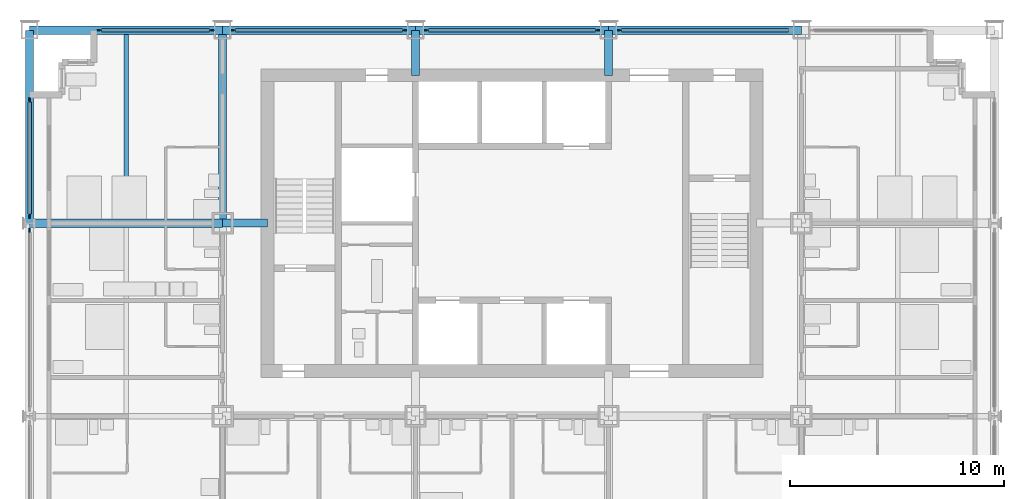
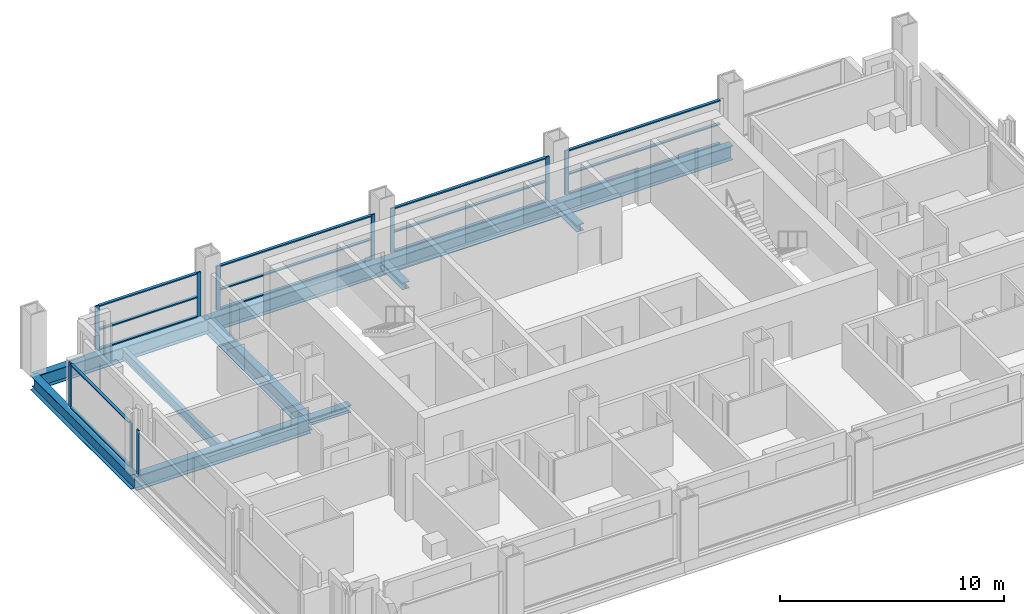
# One storey, part 4 of 13: 27 members, 8 beams, 6 elements without a shape of their own.
"""IFC4 building model written with IfcOpenShell, lengths in metres."""

import ifcopenshell
import ifcopenshell.guid

model = None  # the IFC model being written
_history = None  # IfcOwnerHistory: only IFC2X3 demands one
_inside = {}  # id of a spatial element -> (the spatial element, [elements in it])
_under = {}  # id of a project, library or spatial element -> (it, [spatial elements below it])
_declared = {}  # id of a project -> (the project, [libraries it declares])
_typed = {}  # id of a type object -> (the type object, [elements of that type])
_made_of = {}  # id of a material, layer set ... -> (it, [elements and type objects made of it])


def new_model(schema):
    """Start an empty IFC model of exactly this schema.

    Asked for "IFC4X3", IfcOpenShell would pick the latest addendum, in which some entities
    have other attributes; the version numbers below select the first issue.
    IFC2X3 requires an IfcOwnerHistory on every rooted entity: one is made here for all.
    """
    global model, _history
    if schema == "IFC4X3":
        model = ifcopenshell.file(schema_version=(4, 3, 0, 0))
    else:
        model = ifcopenshell.file(schema=schema)
    _inside.clear()
    _under.clear()
    _declared.clear()
    _typed.clear()
    _made_of.clear()
    _history = None
    if model.schema == "IFC2X3":
        org = make("IfcOrganization", Name="unknown")
        user = make(
            "IfcPersonAndOrganization",
            ThePerson=make("IfcPerson", FamilyName="unknown"),
            TheOrganization=org,
        )
        app = make(
            "IfcApplication",
            ApplicationDeveloper=org,
            Version="unknown",
            ApplicationFullName="unknown",
            ApplicationIdentifier="unknown",
        )
        _history = make(
            "IfcOwnerHistory",
            OwningUser=user,
            OwningApplication=app,
            ChangeAction="ADDED",
            CreationDate=0,
        )
    return model


def make(cls, **values):
    """One entity of the class cls with the attributes given. An attribute that is None is left unset."""
    return model.create_entity(
        cls, **{name: value for name, value in values.items() if value is not None}
    )


def rooted(cls, **values):
    """An entity with a GlobalId (a new one), such as an element, a storey or a relation."""
    return make(cls, GlobalId=ifcopenshell.guid.new(), OwnerHistory=_history, **values)


def si_unit(unit_type, name, prefix=None):
    """IfcSIUnit, for example si_unit("LENGTHUNIT", "METRE", prefix="MILLI")."""
    return make("IfcSIUnit", UnitType=unit_type, Prefix=prefix, Name=name)


def assignment(units):
    """IfcUnitAssignment: the units of a project."""
    return None if units is None else make("IfcUnitAssignment", Units=units)


def point(xyz):
    """IfcCartesianPoint."""
    return None if xyz is None else make("IfcCartesianPoint", Coordinates=xyz)


def direction(xyz):
    """IfcDirection."""
    return None if xyz is None else make("IfcDirection", DirectionRatios=xyz)


def frame(location, z_axis=None, x_axis=None):
    """IfcAxis2Placement3D, a coordinate frame: its origin and axes. An axis left out is left unset."""
    return make(
        "IfcAxis2Placement3D",
        Location=point(location),
        Axis=direction(z_axis),
        RefDirection=direction(x_axis),
    )


def frame_2d(location, x_axis=None):
    """IfcAxis2Placement2D, a coordinate frame in the plane: its origin and x axis."""
    return make(
        "IfcAxis2Placement2D", Location=point(location), RefDirection=direction(x_axis)
    )


def origin():
    """The frame at (0, 0, 0) with its axes left unset."""
    return frame((0.0, 0.0, 0.0))


def origin_2d():
    """The frame at (0, 0) in the plane with its x axis left unset."""
    return frame_2d((0.0, 0.0))


def place(relative_to, where):
    """IfcLocalPlacement: puts the frame where relative to a parent placement (None: the world)."""
    return make(
        "IfcLocalPlacement", PlacementRelTo=relative_to, RelativePlacement=where
    )


def context(
    kind, dimensions, precision=None, world=None, true_north=None, identifier=None
):
    """IfcGeometricRepresentationContext, for example the 3D "Model" context."""
    return make(
        "IfcGeometricRepresentationContext",
        ContextIdentifier=identifier,
        ContextType=kind,
        CoordinateSpaceDimension=dimensions,
        Precision=precision,
        WorldCoordinateSystem=world,
        TrueNorth=true_north,
    )


def subcontext(parent, identifier, kind, view, scale=None):
    """IfcGeometricRepresentationSubContext, for example "Body" below "Model"."""
    return make(
        "IfcGeometricRepresentationSubContext",
        ContextIdentifier=identifier,
        ContextType=kind,
        ParentContext=parent,
        TargetScale=scale,
        TargetView=view,
    )


def project(units=None, contexts=None):
    """IfcProject with its units and contexts."""
    return rooted(
        "IfcProject",
        Name="project",
        RepresentationContexts=contexts,
        UnitsInContext=assignment(units),
    )


def spatial(cls, under=None, at=None, **own):
    """A site, building, storey or space (cls), placed at a placement, below another one or the project."""
    s = rooted(cls, ObjectPlacement=at, **own)
    if under is not None:
        _under.setdefault(under.id(), (under, []))[1].append(s)
    return s


def profile(cls, at=None, kind="AREA", **sizes):
    """A parametric profile (cls). Its sizes go by their IFC names, for example OverallWidth=200.0."""
    return make(cls, ProfileType=kind, Position=at, **sizes)


def rectangle(**sizes):
    """IfcRectangleProfileDef."""
    return profile("IfcRectangleProfileDef", **sizes)


def i_section(**sizes):
    """IfcIShapeProfileDef."""
    return profile("IfcIShapeProfileDef", **sizes)


def extrude(swept, where, along, depth):
    """IfcExtrudedAreaSolid: the profile swept, set in the frame where, extruded along a direction by depth."""
    return make(
        "IfcExtrudedAreaSolid",
        SweptArea=swept,
        Position=where,
        ExtrudedDirection=direction(along),
        Depth=depth,
    )


def shape(context_of_items, identifier, shape_type, items):
    """IfcShapeRepresentation: the items that make up one representation, for example the "Body"."""
    return make(
        "IfcShapeRepresentation",
        ContextOfItems=context_of_items,
        RepresentationIdentifier=identifier,
        RepresentationType=shape_type,
        Items=items,
    )


def material(Name=None, Category=None):
    """IfcMaterial."""
    return make("IfcMaterial", Name=Name, Category=Category)


def material_profile(
    of_material, cross_section, Name=None, Category=None, Priority=None
):
    """IfcMaterialProfile: a cross section and its material."""
    return make(
        "IfcMaterialProfile",
        Name=Name,
        Material=of_material,
        Profile=cross_section,
        Priority=Priority,
        Category=Category,
    )


def profile_set(profiles, Name=None, composite=None):
    """IfcMaterialProfileSet."""
    return make(
        "IfcMaterialProfileSet",
        Name=Name,
        MaterialProfiles=profiles,
        CompositeProfile=composite,
    )


def made_of(thing, what):
    """Note that an element or type object is made of a material, layer set ...; save() writes the relation."""
    if what is not None:
        _made_of.setdefault(what.id(), (what, []))[1].append(thing)
    return thing


def type_object(cls, material=None, **own):
    """A type object (cls), such as IfcWallType, which elements share."""
    return made_of(rooted(cls, **own), material)


def element(
    cls,
    number,
    at=None,
    inside=None,
    cuts=None,
    type_object=None,
    material=None,
    context=None,
    identifier="Body",
    shape_type=None,
    held_by="IfcProductDefinitionShape",
    body=None,
    shapes=None,
    **own,
):
    """One element of the class cls, such as IfcWall. Its Tag is "e" and its number.

    at: its placement. inside: the storey or other place that contains it. cuts: it is an
    opening in that element (IfcRelVoidsElement). A single representation is given by context,
    identifier, shape_type and body (its items); several are given by shapes. held_by: the class
    of the entity that holds the representations. save() writes the other relations.
    """
    e = rooted(cls, Tag="e%d" % number, ObjectPlacement=at, **own)
    if body is not None:
        shapes = [shape(context, identifier, shape_type, body)]
    if shapes is not None:
        e.Representation = make(held_by, Representations=shapes)
    if inside is not None:
        _inside.setdefault(inside.id(), (inside, []))[1].append(e)
    if cuts is not None:
        rooted(
            "IfcRelVoidsElement", RelatingBuildingElement=cuts, RelatedOpeningElement=e
        )
    if type_object is not None:
        _typed.setdefault(type_object.id(), (type_object, []))[1].append(e)
    return made_of(e, material)


def aggregate(whole, parts):
    """IfcRelAggregates: a whole, such as a stair, and the parts it consists of."""
    return rooted("IfcRelAggregates", RelatingObject=whole, RelatedObjects=parts)


def save(model, path):
    """Write the relations noted so far, then the file.

    IfcRelAggregates (storeys below a building ...), IfcRelContainedInSpatialStructure (elements
    in a storey), IfcRelDefinesByType, IfcRelAssociatesMaterial and IfcRelDeclares: one each for
    every whole, place, type object, material and project.
    """
    for whole, parts in _under.values():
        aggregate(whole, parts)
    for where, things in _inside.values():
        rooted(
            "IfcRelContainedInSpatialStructure",
            RelatedElements=things,
            RelatingStructure=where,
        )
    for kind, things in _typed.values():
        rooted("IfcRelDefinesByType", RelatedObjects=things, RelatingType=kind)
    for what, things in _made_of.values():
        rooted("IfcRelAssociatesMaterial", RelatedObjects=things, RelatingMaterial=what)
    for by, libraries in _declared.values():
        rooted("IfcRelDeclares", RelatingContext=by, RelatedDefinitions=libraries)
    model.write(path)


model = new_model("IFC4")

# Units and contexts
model_context = context("Model", 3, precision=1e-05, world=origin(), true_north=direction((0.0, 1.0)))
body_context = subcontext(model_context, "Body", "Model", "MODEL_VIEW")
ifc_project = project(units=[si_unit("LENGTHUNIT", "METRE"), si_unit("AREAUNIT", "SQUARE_METRE"), si_unit("VOLUMEUNIT", "CUBIC_METRE"), si_unit("PLANEANGLEUNIT", "RADIAN"), si_unit("MASSUNIT", "GRAM", prefix="KILO")], contexts=[model_context])

# Site, building, storey
site_placement = place(None, origin())
site = spatial("IfcSite", under=ifc_project, at=site_placement, CompositionType="ELEMENT")
building_placement = place(site_placement, origin())
building = spatial("IfcBuilding", under=site, at=building_placement, Name="Loomwork Tower", CompositionType="ELEMENT")
storey_placement = place(building_placement, frame((0.0, 0.0, 163.800048828125)))
storey = spatial("IfcBuildingStorey", under=building, at=storey_placement, Name="L44", CompositionType="ELEMENT", Elevation=163.800048828125)

# Beams
ifc_material_1 = material(Name="Steel ASTM A992", Category="steel")
ifc_material_profile_1 = material_profile(ifc_material_1, i_section(OverallWidth=0.383544921875, OverallDepth=0.794921875, WebThickness=0.02099609375, FlangeThickness=0.0380859375, at=origin_2d()), Name="W30x235")
ifc_profile_set_1 = profile_set([ifc_material_profile_1], Name="Steel ASTM A992")
beam_type_1 = type_object("IfcBeamType", Name="CORE FLANK GIRDER W30x235", PredefinedType="BEAM", material=ifc_profile_set_1)
for number, where, z_axis, x_axis, name in (
    (1, (0.0, 18.0, -0.59765625), (1.0, 0.0, 0.0), (0.0, 1.0, 0.0), "Core Flank Girder F/2-F/3 L44"),
    (2, (9.0, 18.0, -0.59765625), (0.0, 1.0, 0.0), (-1.0, 0.0, 0.0), "Core Flank Girder F/3-G/3 L44"),
):
    element("IfcBeam", number, at=place(storey_placement, frame(where, z_axis=z_axis, x_axis=x_axis)), inside=storey, type_object=beam_type_1, Name=name, PredefinedType="BEAM", context=body_context, shape_type="SweptSolid", body=[
        extrude(i_section(OverallWidth=0.383544921875, OverallDepth=0.794921875, WebThickness=0.02099609375, FlangeThickness=0.0380859375, at=origin_2d()), origin(), (0.0, 0.0, 1.0), 9.0),
    ])

# Members
ifc_material_2 = material(Name="Steel ASTM A992", Category="steel")
ifc_material_profile_2 = material_profile(ifc_material_2, i_section(OverallWidth=0.373291015625, OverallDepth=0.373291015625, WebThickness=0.016357421875, FlangeThickness=0.026123046875, at=origin_2d()), Name="W14x132")
ifc_profile_set_2 = profile_set([ifc_material_profile_2], Name="Steel ASTM A992")
member_type_1 = type_object("IfcMemberType", Name="CORE LINK STRUT W14x132", PredefinedType="STRUT", material=ifc_profile_set_2)
for number, where, z_axis, x_axis, name in (
    (3, (27.0, 27.0, -0.38671875), (0.0, -1.0, 0.0), (1.0, 0.0, 0.0), "Core link strut G/5-27.000,24.900 L44"),
    (4, (18.0, 27.0, -0.38671875), (0.0, -1.0, 0.0), (1.0, 0.0, 0.0), "Core link strut G/4-18.000,24.900 L44"),
    (5, (9.0, 18.0, -0.38671875), (1.0, 0.0, 0.0), (0.0, 1.0, 0.0), "Core link strut F/3-11.100,18.000 L44"),
):
    element("IfcMember", number, at=place(storey_placement, frame(where, z_axis=z_axis, x_axis=x_axis)), inside=storey, type_object=member_type_1, Name=name, PredefinedType="STRUT", context=body_context, shape_type="SweptSolid", body=[
        extrude(i_section(OverallWidth=0.373291015625, OverallDepth=0.373291015625, WebThickness=0.016357421875, FlangeThickness=0.026123046875, at=origin_2d()), origin(), (0.0, 0.0, 1.0), 2.10009765625),
    ])

# Beam
ifc_material_3 = material(Name="Steel ASTM A992", Category="steel")
ifc_material_profile_3 = material_profile(ifc_material_3, i_section(OverallWidth=0.2109375, OverallDepth=0.53857421875, WebThickness=0.011474609375, FlangeThickness=0.018798828125, at=origin_2d()), Name="W21x73")
ifc_profile_set_3 = profile_set([ifc_material_profile_3], Name="Steel ASTM A992")
beam_type_2 = type_object("IfcBeamType", Name="FLOOR JOIST W21x73", PredefinedType="JOIST", material=ifc_profile_set_3)
beam_placement = place(storey_placement, frame((4.5, 18.19091796875, -0.46923828125), z_axis=(0.0, 1.0, 0.0), x_axis=(-1.0, 0.0, 0.0)))
element("IfcBeam", 6, at=beam_placement, inside=storey, type_object=beam_type_2, Name="Floor Joist 4.500,18.000-4.500,27.000 L44", PredefinedType="JOIST", context=body_context, shape_type="SweptSolid", body=[
    extrude(i_section(OverallWidth=0.2109375, OverallDepth=0.53857421875, WebThickness=0.011474609375, FlangeThickness=0.018798828125, at=origin_2d()), origin(), (0.0, 0.0, 1.0), 8.619140625),
])

# Curtain wall, member
ifc_material_4 = material(Name="Aluminium curtain wall frame", Category="aluminium")
curtain_wall_type_1 = type_object("IfcCurtainWallType", Name="Outer skin glazing hotel", PredefinedType="NOTDEFINED", material=ifc_material_4)
curtain_wall_1_placement = place(storey_placement, origin())
curtain_wall_1 = element("IfcCurtainWall", 7, at=curtain_wall_1_placement, inside=storey, type_object=curtain_wall_type_1, Name="Outer skin glazing hotel cw/W-9", PredefinedType="NOTDEFINED")
ifc_material_5 = material(Name="Aluminium curtain wall frame", Category="aluminium")
ifc_material_profile_4 = material_profile(ifc_material_5, rectangle(XDim=0.06494140625, YDim=0.199951171875, at=origin_2d()), Name="AL 65x200")
ifc_profile_set_4 = profile_set([ifc_material_profile_4], Name="Aluminium curtain wall frame")
member_type_2 = type_object("IfcMemberType", Name="Outer skin glazing hotel mullion", PredefinedType="MULLION", material=ifc_profile_set_4)
member_1_placement = place(storey_placement, frame((0.0, 17.67529296875, 0.0), z_axis=(0.0, 0.0, 1.0), x_axis=(1.0, 0.0, 0.0)))
member_1 = element("IfcMember", 8, at=member_1_placement, type_object=member_type_2, Name="CW1 mullion 1", PredefinedType="MULLION", context=body_context, shape_type="SweptSolid", body=[
    extrude(rectangle(XDim=0.06494140625, YDim=0.199951171875, at=origin_2d()), origin(), (0.0, 0.0, 1.0), 2.420166015625),
])
aggregate(curtain_wall_1, [member_1])

# Curtain wall, members
curtain_wall_2_placement = place(storey_placement, origin())
curtain_wall_2 = element("IfcCurtainWall", 9, at=curtain_wall_2_placement, inside=storey, type_object=curtain_wall_type_1, Name="Outer skin glazing hotel cw/W-18", PredefinedType="NOTDEFINED")
member_2_placement = place(storey_placement, frame((0.0, 23.75, 0.0), z_axis=(0.0, 0.0, 1.0), x_axis=(1.0, 0.0, 0.0)))
member_2 = element("IfcMember", 10, at=member_2_placement, type_object=member_type_2, Name="CW1 mullion 1", PredefinedType="MULLION", context=body_context, shape_type="SweptSolid", body=[
    extrude(rectangle(XDim=0.06494140625, YDim=0.199951171875, at=origin_2d()), origin(), (0.0, 0.0, 1.0), 2.420166015625),
])
member_3_placement = place(storey_placement, frame((0.0, 18.32470703125, 0.0), z_axis=(0.0, 0.0, 1.0), x_axis=(1.0, 0.0, 0.0)))
member_3 = element("IfcMember", 11, at=member_3_placement, type_object=member_type_2, Name="CW1 mullion 2", PredefinedType="MULLION", context=body_context, shape_type="SweptSolid", body=[
    extrude(rectangle(XDim=0.06494140625, YDim=0.199951171875, at=origin_2d()), origin(), (0.0, 0.0, 1.0), 2.420166015625),
])
ifc_material_6 = material(Name="Aluminium curtain wall frame", Category="aluminium")
ifc_material_profile_5 = material_profile(ifc_material_6, rectangle(XDim=0.14990234375, YDim=0.06494140625, at=origin_2d()), Name="AL 65x150")
ifc_profile_set_5 = profile_set([ifc_material_profile_5], Name="Aluminium curtain wall frame")
member_type_3 = type_object("IfcMemberType", Name="Outer skin glazing hotel transom", PredefinedType="USERDEFINED", material=ifc_profile_set_5)
member_4_placement = place(storey_placement, frame((0.0, 23.64990234375, 0.032470703125), z_axis=(0.0, -1.0, 0.0), x_axis=(1.0, 0.0, 0.0)))
member_4 = element("IfcMember", 12, at=member_4_placement, type_object=member_type_3, Name="CW1 transom 1.1", ObjectType="TRANSOM", PredefinedType="USERDEFINED", context=body_context, shape_type="SweptSolid", body=[
    extrude(rectangle(XDim=0.14990234375, YDim=0.06494140625, at=origin_2d()), origin(), (0.0, 0.0, 1.0), 5.22509765625),
])
member_5_placement = place(storey_placement, frame((0.0, 23.64990234375, 2.3876953125), z_axis=(0.0, -1.0, 0.0), x_axis=(1.0, 0.0, 0.0)))
member_5 = element("IfcMember", 13, at=member_5_placement, type_object=member_type_3, Name="CW1 transom 1.2", ObjectType="TRANSOM", PredefinedType="USERDEFINED", context=body_context, shape_type="SweptSolid", body=[
    extrude(rectangle(XDim=0.14990234375, YDim=0.06494140625, at=origin_2d()), origin(), (0.0, 0.0, 1.0), 5.22509765625),
])
aggregate(curtain_wall_2, [member_2, member_3, member_4, member_5])

# Beams
ifc_material_7 = material(Name="Steel ASTM A992", Category="steel")
ifc_material_profile_6 = material_profile(ifc_material_7, i_section(OverallWidth=0.381103515625, OverallDepth=0.77978515625, WebThickness=0.01806640625, FlangeThickness=0.0302734375, at=origin_2d()), Name="W30x191")
ifc_profile_set_6 = profile_set([ifc_material_profile_6], Name="Steel ASTM A992")
beam_type_3 = type_object("IfcBeamType", Name="SPANDREL GIRDER W30x191", PredefinedType="SPANDREL", material=ifc_profile_set_6)
for number, where, z_axis, x_axis, name in (
    (14, (0.0, 27.0, -0.58984375), (1.0, 0.0, 0.0), (0.0, 1.0, 0.0), "Spandrel Girder G/2-G/3 L44"),
    (15, (9.0, 27.0, -0.58984375), (1.0, 0.0, 0.0), (0.0, 1.0, 0.0), "Spandrel Girder G/3-G/4 L44"),
    (16, (18.0, 27.0, -0.58984375), (1.0, 0.0, 0.0), (0.0, 1.0, 0.0), "Spandrel Girder G/4-G/5 L44"),
    (17, (27.0, 27.0, -0.58984375), (1.0, 0.0, 0.0), (0.0, 1.0, 0.0), "Spandrel Girder G/5-G/6 L44"),
    (18, (0.0, 18.0, -0.58984375), (0.0, 1.0, 0.0), (-1.0, 0.0, 0.0), "Spandrel Girder F/2-G/2 L44"),
):
    element("IfcBeam", number, at=place(storey_placement, frame(where, z_axis=z_axis, x_axis=x_axis)), inside=storey, type_object=beam_type_3, Name=name, PredefinedType="SPANDREL", context=body_context, shape_type="SweptSolid", body=[
        extrude(i_section(OverallWidth=0.381103515625, OverallDepth=0.77978515625, WebThickness=0.01806640625, FlangeThickness=0.0302734375, at=origin_2d()), origin(), (0.0, 0.0, 1.0), 9.0),
    ])

# Curtain wall, members
ifc_material_8 = material(Name="Aluminium curtain wall frame", Category="aluminium")
curtain_wall_type_2 = type_object("IfcCurtainWallType", Name="Single skin glazing corridor", PredefinedType="NOTDEFINED", material=ifc_material_8)
curtain_wall_3_placement = place(storey_placement, origin())
curtain_wall_3 = element("IfcCurtainWall", 19, at=curtain_wall_3_placement, inside=storey, type_object=curtain_wall_type_2, Name="Single skin glazing corridor cw/N-0", PredefinedType="NOTDEFINED")
ifc_material_9 = material(Name="Aluminium curtain wall frame", Category="aluminium")
ifc_material_profile_7 = material_profile(ifc_material_9, rectangle(XDim=0.06494140625, YDim=0.199951171875, at=origin_2d()), Name="AL 65x200")
ifc_profile_set_7 = profile_set([ifc_material_profile_7], Name="Aluminium curtain wall frame")
member_type_4 = type_object("IfcMemberType", Name="Single skin glazing corridor mullion", PredefinedType="MULLION", material=ifc_profile_set_7)
member_6_placement = place(storey_placement, frame((8.5, 27.0, 0.0), z_axis=(0.0, 0.0, 1.0), x_axis=(0.0, -1.0, 0.0)))
member_6 = element("IfcMember", 20, at=member_6_placement, type_object=member_type_4, Name="CW3 mullion 1", PredefinedType="MULLION", context=body_context, shape_type="SweptSolid", body=[
    extrude(rectangle(XDim=0.06494140625, YDim=0.199951171875, at=origin_2d()), origin(), (0.0, 0.0, 1.0), 2.420166015625),
])
member_7_placement = place(storey_placement, frame((3.25, 27.0, 0.0), z_axis=(0.0, 0.0, 1.0), x_axis=(0.0, -1.0, 0.0)))
member_7 = element("IfcMember", 21, at=member_7_placement, type_object=member_type_4, Name="CW3 mullion 2", PredefinedType="MULLION", context=body_context, shape_type="SweptSolid", body=[
    extrude(rectangle(XDim=0.06494140625, YDim=0.199951171875, at=origin_2d()), origin(), (0.0, 0.0, 1.0), 2.420166015625),
])

curtain_wall_4_placement = place(storey_placement, origin())
curtain_wall_4 = element("IfcCurtainWall", 22, at=curtain_wall_4_placement, inside=storey, type_object=curtain_wall_type_2, Name="Single skin glazing corridor cw/N-9", PredefinedType="NOTDEFINED")
member_8_placement = place(storey_placement, frame((17.5, 27.0, 0.0), z_axis=(0.0, 0.0, 1.0), x_axis=(0.0, -1.0, 0.0)))
member_8 = element("IfcMember", 23, at=member_8_placement, type_object=member_type_4, Name="CW3 mullion 1", PredefinedType="MULLION", context=body_context, shape_type="SweptSolid", body=[
    extrude(rectangle(XDim=0.06494140625, YDim=0.199951171875, at=origin_2d()), origin(), (0.0, 0.0, 1.0), 2.420166015625),
])
member_9_placement = place(storey_placement, frame((9.5, 27.0, 0.0), z_axis=(0.0, 0.0, 1.0), x_axis=(0.0, -1.0, 0.0)))
member_9 = element("IfcMember", 24, at=member_9_placement, type_object=member_type_4, Name="CW3 mullion 2", PredefinedType="MULLION", context=body_context, shape_type="SweptSolid", body=[
    extrude(rectangle(XDim=0.06494140625, YDim=0.199951171875, at=origin_2d()), origin(), (0.0, 0.0, 1.0), 2.420166015625),
])

curtain_wall_5_placement = place(storey_placement, origin())
curtain_wall_5 = element("IfcCurtainWall", 25, at=curtain_wall_5_placement, inside=storey, type_object=curtain_wall_type_2, Name="Single skin glazing corridor cw/N-18", PredefinedType="NOTDEFINED")
member_10_placement = place(storey_placement, frame((26.5, 27.0, 0.0), z_axis=(0.0, 0.0, 1.0), x_axis=(0.0, -1.0, 0.0)))
member_10 = element("IfcMember", 26, at=member_10_placement, type_object=member_type_4, Name="CW3 mullion 1", PredefinedType="MULLION", context=body_context, shape_type="SweptSolid", body=[
    extrude(rectangle(XDim=0.06494140625, YDim=0.199951171875, at=origin_2d()), origin(), (0.0, 0.0, 1.0), 2.420166015625),
])
member_11_placement = place(storey_placement, frame((18.5, 27.0, 0.0), z_axis=(0.0, 0.0, 1.0), x_axis=(0.0, -1.0, 0.0)))
member_11 = element("IfcMember", 27, at=member_11_placement, type_object=member_type_4, Name="CW3 mullion 2", PredefinedType="MULLION", context=body_context, shape_type="SweptSolid", body=[
    extrude(rectangle(XDim=0.06494140625, YDim=0.199951171875, at=origin_2d()), origin(), (0.0, 0.0, 1.0), 2.420166015625),
])

# Curtain wall, member
curtain_wall_6_placement = place(storey_placement, origin())
curtain_wall_6 = element("IfcCurtainWall", 28, at=curtain_wall_6_placement, inside=storey, type_object=curtain_wall_type_2, Name="Single skin glazing corridor cw/N-27", PredefinedType="NOTDEFINED")
member_12_placement = place(storey_placement, frame((27.5, 27.0, 0.0), z_axis=(0.0, 0.0, 1.0), x_axis=(0.0, -1.0, 0.0)))
member_12 = element("IfcMember", 29, at=member_12_placement, type_object=member_type_4, Name="CW3 mullion 2", PredefinedType="MULLION", context=body_context, shape_type="SweptSolid", body=[
    extrude(rectangle(XDim=0.06494140625, YDim=0.199951171875, at=origin_2d()), origin(), (0.0, 0.0, 1.0), 2.420166015625),
])

# Member
ifc_material_10 = material(Name="Aluminium curtain wall frame", Category="aluminium")
ifc_material_profile_8 = material_profile(ifc_material_10, rectangle(XDim=0.14990234375, YDim=0.06494140625, at=origin_2d()), Name="AL 65x150")
ifc_profile_set_8 = profile_set([ifc_material_profile_8], Name="Aluminium curtain wall frame")
member_type_5 = type_object("IfcMemberType", Name="Single skin glazing corridor transom", PredefinedType="USERDEFINED", material=ifc_profile_set_8)
member_13_placement = place(storey_placement, frame((8.39990234375, 27.0, 0.032470703125), z_axis=(-1.0, 0.0, 0.0), x_axis=(0.0, -1.0, 0.0)))
member_13 = element("IfcMember", 30, at=member_13_placement, type_object=member_type_5, Name="CW3 transom 1.1", ObjectType="TRANSOM", PredefinedType="USERDEFINED", context=body_context, shape_type="SweptSolid", body=[
    extrude(rectangle(XDim=0.14990234375, YDim=0.06494140625, at=origin_2d()), origin(), (0.0, 0.0, 1.0), 5.0498046875),
])

member_14_placement = place(storey_placement, frame((8.39990234375, 27.0, 1.099853515625), z_axis=(-1.0, 0.0, 0.0), x_axis=(0.0, -1.0, 0.0)))
member_14 = element("IfcMember", 31, at=member_14_placement, type_object=member_type_5, Name="CW3 transom 1.2", ObjectType="TRANSOM", PredefinedType="USERDEFINED", context=body_context, shape_type="SweptSolid", body=[
    extrude(rectangle(XDim=0.14990234375, YDim=0.06494140625, at=origin_2d()), origin(), (0.0, 0.0, 1.0), 5.0498046875),
])

member_15_placement = place(storey_placement, frame((8.39990234375, 27.0, 2.3876953125), z_axis=(-1.0, 0.0, 0.0), x_axis=(0.0, -1.0, 0.0)))
member_15 = element("IfcMember", 32, at=member_15_placement, type_object=member_type_5, Name="CW3 transom 1.3", ObjectType="TRANSOM", PredefinedType="USERDEFINED", context=body_context, shape_type="SweptSolid", body=[
    extrude(rectangle(XDim=0.14990234375, YDim=0.06494140625, at=origin_2d()), origin(), (0.0, 0.0, 1.0), 5.0498046875),
])

aggregate(curtain_wall_3, [member_6, member_7, member_13, member_14, member_15])

member_16_placement = place(storey_placement, frame((17.39990234375, 27.0, 0.032470703125), z_axis=(-1.0, 0.0, 0.0), x_axis=(0.0, -1.0, 0.0)))
member_16 = element("IfcMember", 33, at=member_16_placement, type_object=member_type_5, Name="CW3 transom 1.1", ObjectType="TRANSOM", PredefinedType="USERDEFINED", context=body_context, shape_type="SweptSolid", body=[
    extrude(rectangle(XDim=0.14990234375, YDim=0.06494140625, at=origin_2d()), origin(), (0.0, 0.0, 1.0), 7.7998046875),
])

member_17_placement = place(storey_placement, frame((17.39990234375, 27.0, 1.099853515625), z_axis=(-1.0, 0.0, 0.0), x_axis=(0.0, -1.0, 0.0)))
member_17 = element("IfcMember", 34, at=member_17_placement, type_object=member_type_5, Name="CW3 transom 1.2", ObjectType="TRANSOM", PredefinedType="USERDEFINED", context=body_context, shape_type="SweptSolid", body=[
    extrude(rectangle(XDim=0.14990234375, YDim=0.06494140625, at=origin_2d()), origin(), (0.0, 0.0, 1.0), 7.7998046875),
])

member_18_placement = place(storey_placement, frame((17.39990234375, 27.0, 2.3876953125), z_axis=(-1.0, 0.0, 0.0), x_axis=(0.0, -1.0, 0.0)))
member_18 = element("IfcMember", 35, at=member_18_placement, type_object=member_type_5, Name="CW3 transom 1.3", ObjectType="TRANSOM", PredefinedType="USERDEFINED", context=body_context, shape_type="SweptSolid", body=[
    extrude(rectangle(XDim=0.14990234375, YDim=0.06494140625, at=origin_2d()), origin(), (0.0, 0.0, 1.0), 7.7998046875),
])

aggregate(curtain_wall_4, [member_8, member_9, member_16, member_17, member_18])

member_19_placement = place(storey_placement, frame((26.39990234375, 27.0, 0.032470703125), z_axis=(-1.0, 0.0, 0.0), x_axis=(0.0, -1.0, 0.0)))
member_19 = element("IfcMember", 36, at=member_19_placement, type_object=member_type_5, Name="CW3 transom 1.1", ObjectType="TRANSOM", PredefinedType="USERDEFINED", context=body_context, shape_type="SweptSolid", body=[
    extrude(rectangle(XDim=0.14990234375, YDim=0.06494140625, at=origin_2d()), origin(), (0.0, 0.0, 1.0), 7.7998046875),
])

member_20_placement = place(storey_placement, frame((26.39990234375, 27.0, 1.099853515625), z_axis=(-1.0, 0.0, 0.0), x_axis=(0.0, -1.0, 0.0)))
member_20 = element("IfcMember", 37, at=member_20_placement, type_object=member_type_5, Name="CW3 transom 1.2", ObjectType="TRANSOM", PredefinedType="USERDEFINED", context=body_context, shape_type="SweptSolid", body=[
    extrude(rectangle(XDim=0.14990234375, YDim=0.06494140625, at=origin_2d()), origin(), (0.0, 0.0, 1.0), 7.7998046875),
])

member_21_placement = place(storey_placement, frame((26.39990234375, 27.0, 2.3876953125), z_axis=(-1.0, 0.0, 0.0), x_axis=(0.0, -1.0, 0.0)))
member_21 = element("IfcMember", 38, at=member_21_placement, type_object=member_type_5, Name="CW3 transom 1.3", ObjectType="TRANSOM", PredefinedType="USERDEFINED", context=body_context, shape_type="SweptSolid", body=[
    extrude(rectangle(XDim=0.14990234375, YDim=0.06494140625, at=origin_2d()), origin(), (0.0, 0.0, 1.0), 7.7998046875),
])

aggregate(curtain_wall_5, [member_10, member_11, member_19, member_20, member_21])

member_22_placement = place(storey_placement, frame((35.39990234375, 27.0, 0.032470703125), z_axis=(-1.0, 0.0, 0.0), x_axis=(0.0, -1.0, 0.0)))
member_22 = element("IfcMember", 39, at=member_22_placement, type_object=member_type_5, Name="CW3 transom 1.1", ObjectType="TRANSOM", PredefinedType="USERDEFINED", context=body_context, shape_type="SweptSolid", body=[
    extrude(rectangle(XDim=0.14990234375, YDim=0.06494140625, at=origin_2d()), origin(), (0.0, 0.0, 1.0), 7.7998046875),
])

member_23_placement = place(storey_placement, frame((35.39990234375, 27.0, 1.099853515625), z_axis=(-1.0, 0.0, 0.0), x_axis=(0.0, -1.0, 0.0)))
member_23 = element("IfcMember", 40, at=member_23_placement, type_object=member_type_5, Name="CW3 transom 1.2", ObjectType="TRANSOM", PredefinedType="USERDEFINED", context=body_context, shape_type="SweptSolid", body=[
    extrude(rectangle(XDim=0.14990234375, YDim=0.06494140625, at=origin_2d()), origin(), (0.0, 0.0, 1.0), 7.7998046875),
])

member_24_placement = place(storey_placement, frame((35.39990234375, 27.0, 2.3876953125), z_axis=(-1.0, 0.0, 0.0), x_axis=(0.0, -1.0, 0.0)))
member_24 = element("IfcMember", 41, at=member_24_placement, type_object=member_type_5, Name="CW3 transom 1.3", ObjectType="TRANSOM", PredefinedType="USERDEFINED", context=body_context, shape_type="SweptSolid", body=[
    extrude(rectangle(XDim=0.14990234375, YDim=0.06494140625, at=origin_2d()), origin(), (0.0, 0.0, 1.0), 7.7998046875),
])

aggregate(curtain_wall_6, [member_12, member_22, member_23, member_24])

save(model, "model.ifc")
